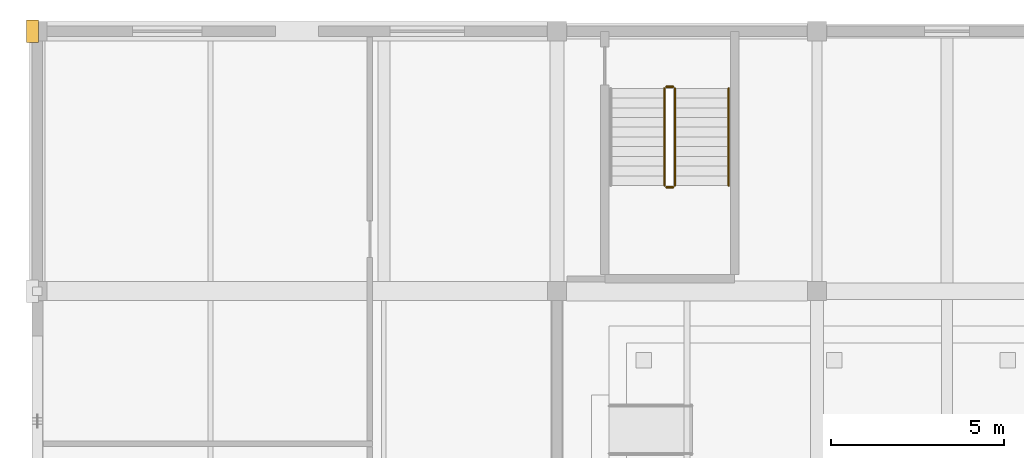
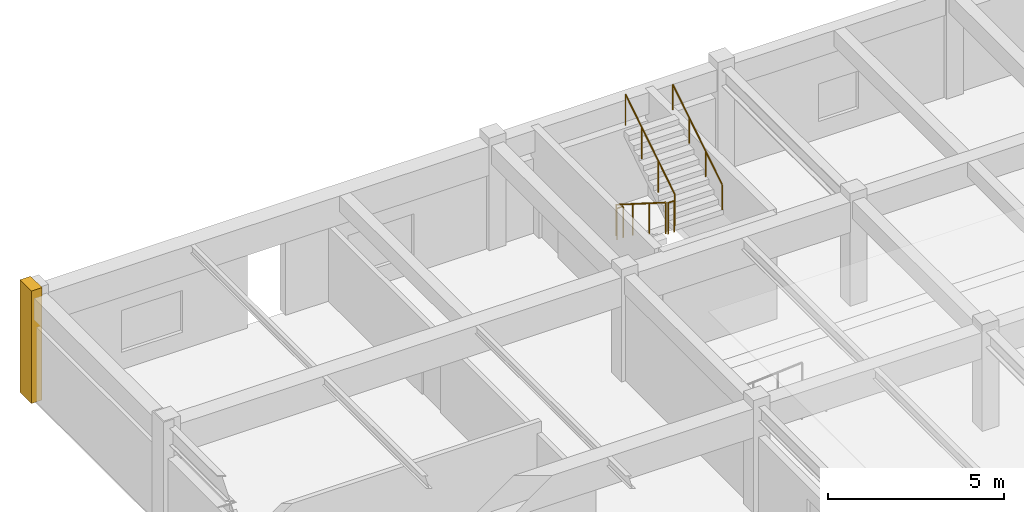
# One storey, part 99 of 101: 5 railings, 1 covering.
"""IFC4 building model written with IfcOpenShell, lengths in metres."""

from ifc_helpers import new_model, si_unit, direction, frame, origin, origin_2d, place, context, subcontext, project, spatial, rectangle, circle, extrude, material, layer, layer_set, type_object, element, save


model = new_model("IFC4")

# Units and contexts
model_context = context("Model", 3, precision=1e-05, world=origin(), true_north=direction((0.0, 1.0)))
body_context = subcontext(model_context, "Body", "Model", "MODEL_VIEW")
ifc_project = project(units=[si_unit("LENGTHUNIT", "METRE"), si_unit("AREAUNIT", "SQUARE_METRE"), si_unit("VOLUMEUNIT", "CUBIC_METRE"), si_unit("PLANEANGLEUNIT", "RADIAN"), si_unit("MASSUNIT", "GRAM", prefix="KILO")], contexts=[model_context])

# Site, building, storey
site_placement = place(None, origin())
site = spatial("IfcSite", under=ifc_project, at=site_placement, CompositionType="ELEMENT")
building_placement = place(site_placement, origin())
building = spatial("IfcBuilding", under=site, at=building_placement, Name="Qasida Concert Hall", CompositionType="ELEMENT")
storey_placement = place(building_placement, frame((0.0, 0.0, 13.199951171875)))
storey = spatial("IfcBuildingStorey", under=building, at=storey_placement, Name="L03", CompositionType="ELEMENT", Elevation=13.199951171875)

# Covering
ifc_material_1 = material(Name="Projecting fluted Lebanese limestone Art Deco pilaster", Category="masonry")
ifc_layer_1 = layer(ifc_material_1, 0.35009765625, Name="Projecting fluted Lebanese limestone Art Deco pilaster")
ifc_layer_set_1 = layer_set([ifc_layer_1], Name="Projecting fluted Lebanese limestone Art Deco pilaster")
covering_type = type_object("IfcCoveringType", Name="CV-PIL-650", PredefinedType="CLADDING", material=ifc_layer_set_1)
covering_placement = place(storey_placement, frame((-0.135009765625, 112.5, 0.0), z_axis=(0.0, 0.0, 1.0), x_axis=(1.0, 0.0, 0.0)))
element("IfcCovering", 1, at=covering_placement, inside=storey, type_object=covering_type, Name="L03 fluted limestone pilaster 0303", PredefinedType="CLADDING", context=body_context, shape_type="SweptSolid", body=[
    extrude(rectangle(XDim=0.35009765625, YDim=0.64990234375, at=origin_2d()), origin(), (0.0, 0.0, 1.0), 3.89990234375),
])

# Railings
ifc_material_2 = material(Name="Patinated architectural bronze and laminated glass infill", Category="glass")
ifc_layer_2 = layer(ifc_material_2, 0.080078125, Name="Patinated architectural bronze and laminated glass infill")
ifc_layer_set_2 = layer_set([ifc_layer_2], Name="Patinated architectural bronze and laminated glass infill")
railing_type_1 = type_object("IfcRailingType", Name="RL-GRD-1100", PredefinedType="GUARDRAIL", material=ifc_layer_set_2)
railing_1_placement = place(storey_placement, frame((18.10009765625, 110.85009765625, 0.17724609375)))
element("IfcRailing", 2, at=railing_1_placement, inside=storey, type_object=railing_type_1, Name="L03 ST-06 stair guard 1", PredefinedType="GUARDRAIL", context=body_context, shape_type="SweptSolid", body=[
    extrude(circle(Radius=0.02392578125, at=origin_2d()), frame((0.0, 0.0, 1.076171875), z_axis=(0.0, -0.844908973607, 0.534910110503), x_axis=(1.0, 0.0, 0.0)), (0.0, 0.0, 1.0), 3.31396484375),
    extrude(circle(Radius=0.02099609375, at=origin_2d()), origin(), (0.0, 0.0, 1.0), 1.052001953125),
    extrude(circle(Radius=0.02099609375, at=origin_2d()), frame((0.0, -0.933349609375, 0.5908203125)), (0.0, 0.0, 1.0), 1.052001953125),
    extrude(circle(Radius=0.02099609375, at=origin_2d()), frame((0.0, -1.86669921875, 1.181884765625)), (0.0, 0.0, 1.0), 1.052001953125),
    extrude(circle(Radius=0.02099609375, at=origin_2d()), frame((0.0, -2.800048828125, 1.772705078125)), (0.0, 0.0, 1.0), 1.052001953125),
])
railing_2_placement = place(storey_placement, frame((18.14990234375, 108.0, 1.949951171875)))
element("IfcRailing", 3, at=railing_2_placement, inside=storey, type_object=railing_type_1, Name="L03 ST-06 stair guard 2", PredefinedType="GUARDRAIL", context=body_context, shape_type="SweptSolid", body=[
    extrude(circle(Radius=0.02392578125, at=origin_2d()), frame((0.0, 0.0, 1.076171875), z_axis=(1.0, 0.0, 0.0), x_axis=(0.0, 1.0, 0.0)), (0.0, 0.0, 1.0), 0.2001953125),
    extrude(circle(Radius=0.02099609375, at=origin_2d()), origin(), (0.0, 0.0, 1.0), 1.052001953125),
    extrude(circle(Radius=0.02099609375, at=origin_2d()), frame((0.2001953125, 0.0, 0.0)), (0.0, 0.0, 1.0), 1.052001953125),
])
railing_3_placement = place(storey_placement, frame((18.39990234375, 108.050048828125, 2.12744140625)))
element("IfcRailing", 4, at=railing_3_placement, inside=storey, type_object=railing_type_1, Name="L03 ST-06 stair guard 3", PredefinedType="GUARDRAIL", context=body_context, shape_type="SweptSolid", body=[
    extrude(circle(Radius=0.02392578125, at=origin_2d()), frame((0.0, 0.0, 1.076171875), z_axis=(0.0, 0.844908973607, 0.534910110503), x_axis=(-1.0, 0.0, 0.0)), (0.0, 0.0, 1.0), 3.31396484375),
    extrude(circle(Radius=0.02099609375, at=origin_2d()), origin(), (0.0, 0.0, 1.0), 1.052001953125),
    extrude(circle(Radius=0.02099609375, at=origin_2d()), frame((0.0, 0.933349609375, 0.5908203125)), (0.0, 0.0, 1.0), 1.052001953125),
    extrude(circle(Radius=0.02099609375, at=origin_2d()), frame((0.0, 1.86669921875, 1.181884765625)), (0.0, 0.0, 1.0), 1.052001953125),
    extrude(circle(Radius=0.02099609375, at=origin_2d()), frame((0.0, 2.800048828125, 1.772705078125)), (0.0, 0.0, 1.0), 1.052001953125),
])
railing_4_placement = place(storey_placement, frame((18.14990234375, 110.89990234375, 0.0)))
element("IfcRailing", 5, at=railing_4_placement, inside=storey, type_object=railing_type_1, Name="L03 ST-06 stair guard 4", PredefinedType="GUARDRAIL", context=body_context, shape_type="SweptSolid", body=[
    extrude(circle(Radius=0.02392578125, at=origin_2d()), frame((0.0, 0.0, 1.076171875), z_axis=(1.0, 0.0, 0.0), x_axis=(0.0, 1.0, 0.0)), (0.0, 0.0, 1.0), 0.2001953125),
    extrude(circle(Radius=0.02099609375, at=origin_2d()), origin(), (0.0, 0.0, 1.0), 1.052001953125),
    extrude(circle(Radius=0.02099609375, at=origin_2d()), frame((0.2001953125, 0.0, 0.0)), (0.0, 0.0, 1.0), 1.052001953125),
])
ifc_material_3 = material(Name="Patinated tubular architectural bronze", Category="steel")
ifc_layer_3 = layer(ifc_material_3, 0.050048828125, Name="Patinated tubular architectural bronze")
ifc_layer_set_3 = layer_set([ifc_layer_3], Name="Patinated tubular architectural bronze")
railing_type_2 = type_object("IfcRailingType", Name="RL-HND-900", PredefinedType="HANDRAIL", material=ifc_layer_set_3)
railing_5_placement = place(storey_placement, frame((19.949951171875, 108.050048828125, 2.12744140625)))
element("IfcRailing", 6, at=railing_5_placement, inside=storey, type_object=railing_type_2, Name="L03 ST-06 stair handrail 2", PredefinedType="HANDRAIL", context=body_context, shape_type="SweptSolid", body=[
    extrude(circle(Radius=0.02392578125, at=origin_2d()), frame((0.0, 0.0, 0.8759765625), z_axis=(0.0, 0.844908973607, 0.534910110503), x_axis=(-1.0, 0.0, 0.0)), (0.0, 0.0, 1.0), 3.31396484375),
    extrude(circle(Radius=0.02099609375, at=origin_2d()), origin(), (0.0, 0.0, 1.0), 0.851806640625),
    extrude(circle(Radius=0.02099609375, at=origin_2d()), frame((0.0, 0.933349609375, 0.5908203125)), (0.0, 0.0, 1.0), 0.851806640625),
    extrude(circle(Radius=0.02099609375, at=origin_2d()), frame((0.0, 1.86669921875, 1.181884765625)), (0.0, 0.0, 1.0), 0.851806640625),
    extrude(circle(Radius=0.02099609375, at=origin_2d()), frame((0.0, 2.800048828125, 1.772705078125)), (0.0, 0.0, 1.0), 0.851806640625),
])

save(model, "model.ifc")
